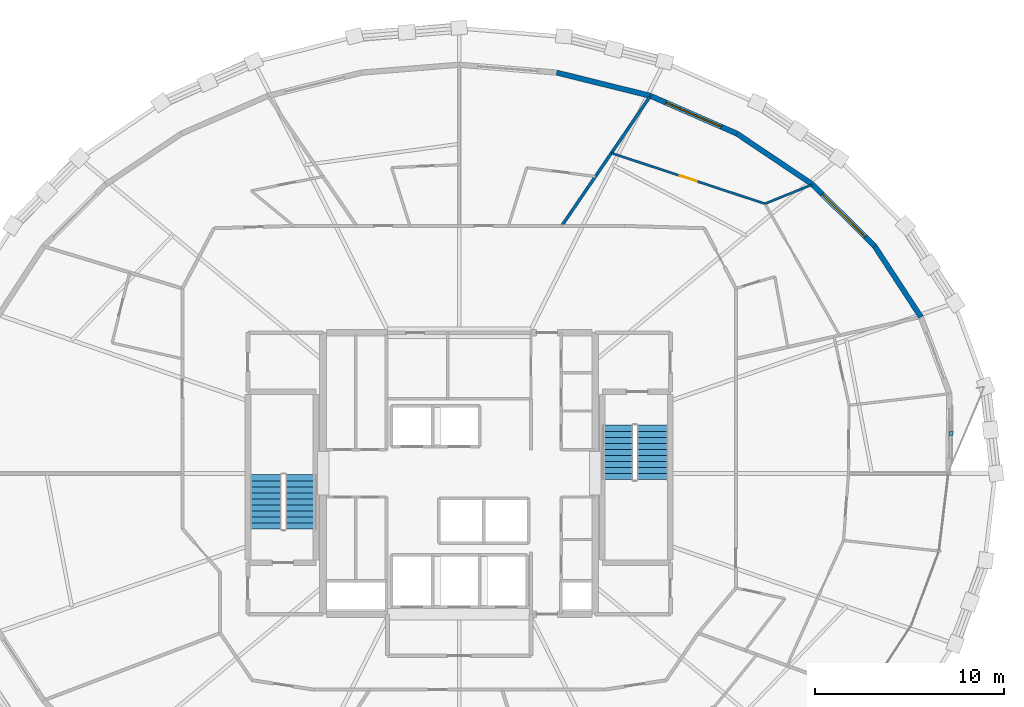
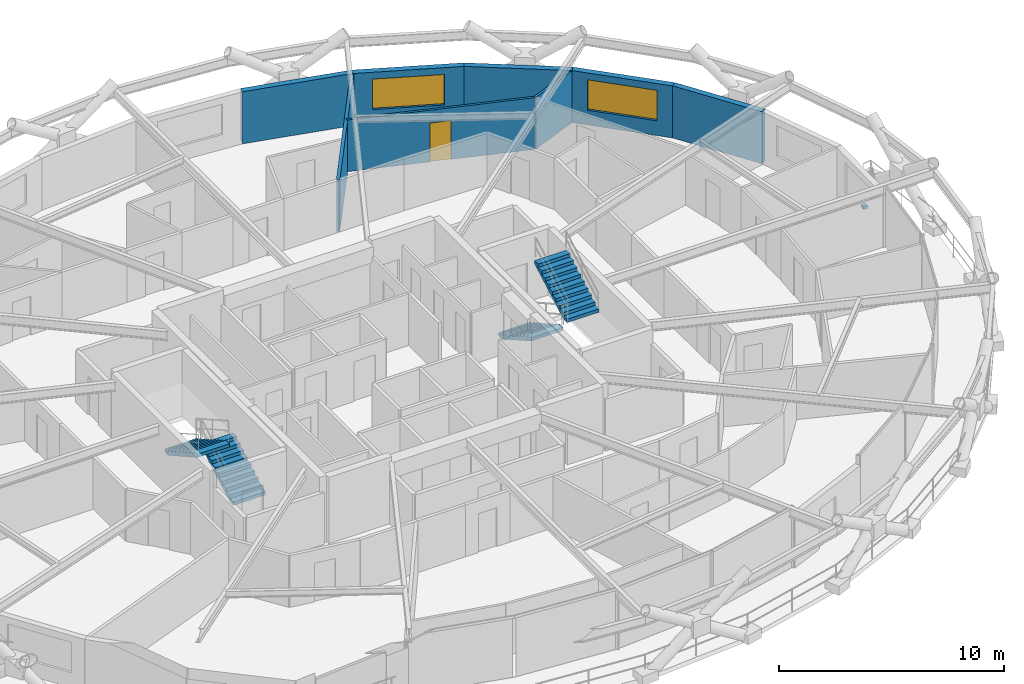
# One storey, part 18 of 21: 8 walls, 4 stair flights, 2 windows, 1 discrete accessory, 1 door, 3 openings, 2 elements without a shape of their own.
"""IFC4 building model written with IfcOpenShell, lengths in metres."""

from ifc_helpers import new_model, si_unit, direction, frame, frame_2d, origin, origin_2d, place, context, subcontext, project, spatial, polyline, rectangle, outline, extrude, material, layer, layer_set, type_object, element, fill, aggregate, save


model = new_model("IFC4")

# Units and contexts
model_context = context("Model", 3, precision=1e-05, world=origin(), true_north=direction((0.0, 1.0)))
body_context = subcontext(model_context, "Body", "Model", "MODEL_VIEW")
ifc_project = project(units=[si_unit("LENGTHUNIT", "METRE"), si_unit("AREAUNIT", "SQUARE_METRE"), si_unit("VOLUMEUNIT", "CUBIC_METRE"), si_unit("PLANEANGLEUNIT", "RADIAN"), si_unit("MASSUNIT", "GRAM", prefix="KILO")], contexts=[model_context])

# Site, building, storey
site_placement = place(None, origin())
site = spatial("IfcSite", under=ifc_project, at=site_placement, CompositionType="ELEMENT")
building_placement = place(site_placement, origin())
building = spatial("IfcBuilding", under=site, at=building_placement, Name="Veldorina Hangang Commons", CompositionType="ELEMENT")
storey_placement = place(building_placement, frame((0.0, 0.0, 142.39990234375)))
storey = spatial("IfcBuildingStorey", under=building, at=storey_placement, Name="L36", CompositionType="ELEMENT", Elevation=142.39990234375)

# Wall
ifc_material_1 = material(Name="Stone Roman Travertine", Category="masonry")
ifc_layer_1 = layer(ifc_material_1, 0.280029296875)
ifc_layer_set_1 = layer_set([ifc_layer_1], Name="Stone Roman Travertine")
wall_type_1 = type_object("IfcWallType", Name="EW-TRAV-280", PredefinedType="STANDARD", material=ifc_layer_set_1)
wall_1_placement = place(storey_placement, frame((56.44091796875, 32.277587890625, 0.0), z_axis=(0.0, 0.0, 1.0), x_axis=(-0.547212555107, 0.836993679506, 0.0)))
element("IfcWall", 1, at=wall_1_placement, inside=storey, type_object=wall_type_1, Name="L36 travertine facade wall 02", PredefinedType="STANDARD", context=body_context, shape_type="SweptSolid", body=[
    extrude(rectangle(XDim=4.4677734375, YDim=0.280029296875, at=frame_2d((2.23388671875, 0.0))), origin(), (0.0, 0.0, 1.0), 2.820068359375),
])

# Wall, opening, window
wall_2_placement = place(storey_placement, frame((53.99609375, 36.01708984375, 0.0), z_axis=(0.0, 0.0, 1.0), x_axis=(-0.708393596514, 0.705817619799, 0.0)))
wall_2 = element("IfcWall", 2, at=wall_2_placement, inside=storey, type_object=wall_type_1, Name="L36 travertine facade wall 03", PredefinedType="STANDARD", context=body_context, shape_type="SweptSolid", body=[
    extrude(rectangle(XDim=4.64404296875, YDim=0.280029296875, at=frame_2d((2.322021484375, 0.0))), origin(), (0.0, 0.0, 1.0), 2.820068359375),
])
opening_1_placement = place(wall_2_placement, frame((0.721923828125, 0.0, 0.800048828125)))
opening_1 = element("IfcOpeningElement", 3, at=opening_1_placement, cuts=wall_2, Name="Opening W-01", PredefinedType="OPENING", context=body_context, shape_type="SweptSolid", body=[
    extrude(rectangle(XDim=3.199951171875, YDim=1.64990234375, at=frame_2d((1.60009765625, 0.824951171875))), frame((0.0, 0.14990234375, 0.0), z_axis=(0.0, -1.0, 0.0), x_axis=(1.0, 0.0, 0.0)), (0.0, 0.0, 1.0), 0.300048828125),
])
ifc_material_2 = material(Name="Glass Low-E Triple IGU", Category="glass")
window_type = type_object("IfcWindowType", Name="WIN-TWR-3200", PartitioningType="SINGLE_PANEL", PredefinedType="WINDOW", material=ifc_material_2)
window_1_placement = place(opening_1_placement, origin())
window_1 = element("IfcWindow", 4, at=window_1_placement, inside=storey, type_object=window_type, Name="L36 facade window 03", OverallHeight=1.64990234375, OverallWidth=3.199951171875, PartitioningType="SINGLE_PANEL", PredefinedType="WINDOW", context=body_context, shape_type="SweptSolid", body=[
    extrude(rectangle(XDim=3.199951171875, YDim=1.64990234375, at=frame_2d((1.60009765625, 0.824951171875))), frame((0.0, 0.030029296875, 0.0), z_axis=(0.0, -1.0, 0.0), x_axis=(1.0, 0.0, 0.0)), (0.0, 0.0, 1.0), 0.06005859375),
])
fill(opening_1, window_1)

# Wall
wall_3_placement = place(storey_placement, frame((50.706298828125, 39.294921875, 0.0), z_axis=(0.0, 0.0, 1.0), x_axis=(-0.830381581739, 0.55719514419, 0.0)))
element("IfcWall", 5, at=wall_3_placement, inside=storey, type_object=wall_type_1, Name="L36 travertine facade wall 04", PredefinedType="STANDARD", context=body_context, shape_type="SweptSolid", body=[
    extrude(rectangle(XDim=4.82763671875, YDim=0.280029296875, at=frame_2d((2.413818359375, 0.0))), origin(), (0.0, 0.0, 1.0), 2.820068359375),
])

# Wall, opening, window
wall_4_placement = place(storey_placement, frame((46.697509765625, 41.98486328125, 0.0), z_axis=(0.0, 0.0, 1.0), x_axis=(-0.916303206083, 0.400485248821, 0.0)))
wall_4 = element("IfcWall", 6, at=wall_4_placement, inside=storey, type_object=wall_type_1, Name="L36 travertine facade wall 05", PredefinedType="STANDARD", context=body_context, shape_type="SweptSolid", body=[
    extrude(rectangle(XDim=4.991455078125, YDim=0.280029296875, at=frame_2d((2.49560546875, 0.0))), origin(), (0.0, 0.0, 1.0), 2.820068359375),
])
opening_2_placement = place(wall_4_placement, frame((0.895751953125, 0.0, 0.800048828125)))
opening_2 = element("IfcOpeningElement", 7, at=opening_2_placement, cuts=wall_4, Name="Opening W-01", PredefinedType="OPENING", context=body_context, shape_type="SweptSolid", body=[
    extrude(rectangle(XDim=3.199951171875, YDim=1.64990234375, at=frame_2d((1.60009765625, 0.824951171875))), frame((0.0, 0.14990234375, 0.0), z_axis=(0.0, -1.0, 0.0), x_axis=(1.0, 0.0, 0.0)), (0.0, 0.0, 1.0), 0.300048828125),
])
window_2_placement = place(opening_2_placement, origin())
window_2 = element("IfcWindow", 8, at=window_2_placement, inside=storey, type_object=window_type, Name="L36 facade window 05", OverallHeight=1.64990234375, OverallWidth=3.199951171875, PartitioningType="SINGLE_PANEL", PredefinedType="WINDOW", context=body_context, shape_type="SweptSolid", body=[
    extrude(rectangle(XDim=3.199951171875, YDim=1.64990234375, at=frame_2d((1.60009765625, 0.824951171875))), frame((0.0, 0.030029296875, 0.0), z_axis=(0.0, -1.0, 0.0), x_axis=(1.0, 0.0, 0.0)), (0.0, 0.0, 1.0), 0.06005859375),
])
fill(opening_2, window_2)

# Walls
wall_5_placement = place(storey_placement, frame((42.123779296875, 43.98388671875, 0.0), z_axis=(0.0, 0.0, 1.0), x_axis=(-0.970601368837, 0.240692714498, 0.0)))
element("IfcWall", 9, at=wall_5_placement, inside=storey, type_object=wall_type_1, Name="L36 travertine facade wall 06", PredefinedType="STANDARD", context=body_context, shape_type="SweptSolid", body=[
    extrude(rectangle(XDim=5.11328125, YDim=0.280029296875, at=frame_2d((2.556640625, 0.0))), origin(), (0.0, 0.0, 1.0), 2.820068359375),
])
ifc_material_3 = material(Name="Gypsum Fire-Rated Twin Stud Wall", Category="gypsum")
ifc_layer_2 = layer(ifc_material_3, 0.159912109375)
ifc_layer_set_2 = layer_set([ifc_layer_2], Name="Gypsum Fire-Rated Twin Stud Wall")
wall_type_2 = type_object("IfcWallType", Name="WL-FIRE-160", PredefinedType="SOLIDWALL", material=ifc_layer_set_2)
wall_6_placement = place(storey_placement, frame((37.42626953125, 37.10009765625, 0.0), z_axis=(0.0, 0.0, 1.0), x_axis=(0.563666009878, 0.82600280224, 0.0)))
element("IfcWall", 10, at=wall_6_placement, inside=storey, type_object=wall_type_2, Name="L36 Unit party wall 06 103", PredefinedType="SOLIDWALL", context=body_context, shape_type="SweptSolid", body=[
    extrude(rectangle(XDim=8.28369140625, YDim=0.159912109375, at=frame_2d((4.141845703125, 0.0))), origin(), (0.0, 0.0, 1.0), 2.800048828125),
])

# Wall, opening, door
ifc_material_4 = material(Name="Gypsum Acoustic Stud Partition", Category="gypsum")
ifc_layer_3 = layer(ifc_material_4, 0.1201171875)
ifc_layer_set_3 = layer_set([ifc_layer_3], Name="Gypsum Acoustic Stud Partition")
wall_type_3 = type_object("IfcWallType", Name="WL-PART-120", PredefinedType="PARTITIONING", material=ifc_layer_set_3)
wall_7_placement = place(storey_placement, frame((48.1845703125, 38.274169921875, 0.0), z_axis=(0.0, 0.0, 1.0), x_axis=(-0.949679826918, 0.313222327342, 0.0)))
wall_7 = element("IfcWall", 11, at=wall_7_placement, inside=storey, type_object=wall_type_3, Name="L36 Cluster 3 bed 2 front wall 101", PredefinedType="PARTITIONING", context=body_context, shape_type="SweptSolid", body=[
    extrude(rectangle(XDim=8.558349609375, YDim=0.1201171875, at=frame_2d((4.279296875, 0.0))), origin(), (0.0, 0.0, 1.0), 2.800048828125),
])
opening_3_placement = place(wall_7_placement, frame((3.80419921875, 0.0, 0.0)))
opening_3 = element("IfcOpeningElement", 12, at=opening_3_placement, cuts=wall_7, Name="Opening D-02", PredefinedType="OPENING", context=body_context, shape_type="SweptSolid", body=[
    extrude(rectangle(XDim=0.949951171875, YDim=2.10009765625, at=frame_2d((0.47509765625, 1.050048828125))), frame((0.0, 0.070068359375, 0.0), z_axis=(0.0, -1.0, 0.0), x_axis=(1.0, 0.0, 0.0)), (0.0, 0.0, 1.0), 0.14013671875),
])
ifc_material_5 = material(Name="Timber Solid Core Acoustic", Category="wood")
door_type = type_object("IfcDoorType", Name="DR-INT-950", OperationType="SINGLE_SWING_LEFT", PredefinedType="DOOR", material=ifc_material_5)
door_placement = place(opening_3_placement, origin())
door = element("IfcDoor", 13, at=door_placement, inside=storey, type_object=door_type, Name="L36 Cluster 3 bed 2 door 033", OperationType="SINGLE_SWING_LEFT", OverallHeight=2.10009765625, OverallWidth=0.949951171875, PredefinedType="DOOR", context=body_context, shape_type="SweptSolid", body=[
    extrude(rectangle(XDim=0.949951171875, YDim=2.10009765625, at=frame_2d((0.47509765625, 1.050048828125))), frame((0.0, 0.02490234375, 0.0), z_axis=(0.0, -1.0, 0.0), x_axis=(1.0, 0.0, 0.0)), (0.0, 0.0, 1.0), 0.050048828125),
])
fill(opening_3, door)

# Wall
wall_8_placement = place(storey_placement, frame((48.1845703125, 38.274169921875, 0.0), z_axis=(0.0, 0.0, 1.0), x_axis=(0.926943027984, 0.375202109365, 0.0)))
element("IfcWall", 14, at=wall_8_placement, inside=storey, type_object=wall_type_3, Name="L36 Cluster 3 bed divider 1 102", PredefinedType="PARTITIONING", context=body_context, shape_type="SweptSolid", body=[
    extrude(rectangle(XDim=2.67041015625, YDim=0.1201171875, at=frame_2d((1.335205078125, 0.0))), origin(), (0.0, 0.0, 1.0), 2.800048828125),
])

# Stair, stair flights
ifc_material_6 = material(Name="Concrete C40/50", Category="concrete")
stair_type = type_object("IfcStairType", Name="STR-DOG-1650-20R", PredefinedType="HALF_TURN_STAIR", material=ifc_material_6)
stair_1_placement = place(storey_placement, origin())
stair_1 = element("IfcStair", 15, at=stair_1_placement, inside=storey, type_object=stair_type, Name="L36 Exit stair ST-1", PredefinedType="HALF_TURN_STAIR")
stair_flight_type = type_object("IfcStairFlightType", Name="SFL-STR-1650-20R", PredefinedType="STRAIGHT", material=ifc_material_6)
stair_flight_1_placement = place(storey_placement, frame((23.625, 21.050048828125, 0.0), z_axis=(0.0, 0.0, 1.0), x_axis=(0.0, 1.0, 0.0)))
stair_flight_1 = element("IfcStairFlight", 16, at=stair_flight_1_placement, type_object=stair_flight_type, Name="ST-1 flight 1", NumberOfRisers=10, NumberOfTreads=9, PredefinedType="STRAIGHT", RiserHeight=0.18, TreadLength=0.32, context=body_context, shape_type="SweptSolid", body=[
    extrude(outline(polyline([(0.0, 0.0), (0.0, 0.179931640625), (0.320068359375, 0.179931640625), (0.320068359375, 0.360107421875), (0.639892578125, 0.360107421875), (0.639892578125, 0.5400390625), (0.9599609375, 0.5400390625), (0.9599609375, 0.719970703125), (1.280029296875, 0.719970703125), (1.280029296875, 0.89990234375), (1.60009765625, 0.89990234375), (1.60009765625, 1.080078125), (1.919921875, 1.080078125), (1.919921875, 1.260009765625), (2.239990234375, 1.260009765625), (2.239990234375, 1.43994140625), (2.56005859375, 1.43994140625), (2.56005859375, 1.6201171875), (2.8798828125, 1.6201171875), (2.8798828125, 1.800048828125), (2.8798828125, 1.447998046875), (0.3056640625, 0.0), (0.0, 0.0)])), frame((0.0, 0.824951171875, 0.0), z_axis=(0.0, -1.0, 0.0), x_axis=(1.0, 0.0, 0.0)), (0.0, 0.0, 1.0), 1.64990234375),
])
stair_flight_2_placement = place(storey_placement, frame((21.77490234375, 23.929931640625, 1.800048828125), z_axis=(0.0, 0.0, 1.0), x_axis=(0.0, -1.0, 0.0)))
stair_flight_2 = element("IfcStairFlight", 17, at=stair_flight_2_placement, type_object=stair_flight_type, Name="ST-1 flight 2", NumberOfRisers=10, NumberOfTreads=9, PredefinedType="STRAIGHT", RiserHeight=0.18, TreadLength=0.32, context=body_context, shape_type="SweptSolid", body=[
    extrude(outline(polyline([(0.0, 0.0), (0.0, 0.179931640625), (0.320068359375, 0.179931640625), (0.320068359375, 0.360107421875), (0.639892578125, 0.360107421875), (0.639892578125, 0.5400390625), (0.9599609375, 0.5400390625), (0.9599609375, 0.719970703125), (1.280029296875, 0.719970703125), (1.280029296875, 0.89990234375), (1.60009765625, 0.89990234375), (1.60009765625, 1.080078125), (1.919921875, 1.080078125), (1.919921875, 1.260009765625), (2.239990234375, 1.260009765625), (2.239990234375, 1.43994140625), (2.56005859375, 1.43994140625), (2.56005859375, 1.6201171875), (2.8798828125, 1.6201171875), (2.8798828125, 1.800048828125), (2.8798828125, 1.447998046875), (0.3056640625, 0.0), (0.0, 0.0)])), frame((0.0, 0.824951171875, 0.0), z_axis=(0.0, -1.0, 0.0), x_axis=(1.0, 0.0, 0.0)), (0.0, 0.0, 1.0), 1.64990234375),
])
aggregate(stair_1, [stair_flight_1, stair_flight_2])

stair_2_placement = place(storey_placement, origin())
stair_2 = element("IfcStair", 18, at=stair_2_placement, inside=storey, type_object=stair_type, Name="L36 Exit stair ST-2", PredefinedType="HALF_TURN_STAIR")
stair_flight_3_placement = place(storey_placement, frame((40.375, 26.550048828125, 0.0), z_axis=(0.0, 0.0, 1.0), x_axis=(0.0, -1.0, 0.0)))
stair_flight_3 = element("IfcStairFlight", 19, at=stair_flight_3_placement, type_object=stair_flight_type, Name="ST-2 flight 1", NumberOfRisers=10, NumberOfTreads=9, PredefinedType="STRAIGHT", RiserHeight=0.18, TreadLength=0.32, context=body_context, shape_type="SweptSolid", body=[
    extrude(outline(polyline([(0.0, 0.0), (0.0, 0.179931640625), (0.320068359375, 0.179931640625), (0.320068359375, 0.360107421875), (0.639892578125, 0.360107421875), (0.639892578125, 0.5400390625), (0.9599609375, 0.5400390625), (0.9599609375, 0.719970703125), (1.280029296875, 0.719970703125), (1.280029296875, 0.89990234375), (1.60009765625, 0.89990234375), (1.60009765625, 1.080078125), (1.919921875, 1.080078125), (1.919921875, 1.260009765625), (2.239990234375, 1.260009765625), (2.239990234375, 1.43994140625), (2.56005859375, 1.43994140625), (2.56005859375, 1.6201171875), (2.8798828125, 1.6201171875), (2.8798828125, 1.800048828125), (2.8798828125, 1.447998046875), (0.3056640625, 0.0), (0.0, 0.0)])), frame((0.0, 0.824951171875, 0.0), z_axis=(0.0, -1.0, 0.0), x_axis=(1.0, 0.0, 0.0)), (0.0, 0.0, 1.0), 1.64990234375),
])
stair_flight_4_placement = place(storey_placement, frame((42.22509765625, 23.669921875, 1.800048828125), z_axis=(0.0, 0.0, 1.0), x_axis=(0.0, 1.0, 0.0)))
stair_flight_4 = element("IfcStairFlight", 20, at=stair_flight_4_placement, type_object=stair_flight_type, Name="ST-2 flight 2", NumberOfRisers=10, NumberOfTreads=9, PredefinedType="STRAIGHT", RiserHeight=0.18, TreadLength=0.32, context=body_context, shape_type="SweptSolid", body=[
    extrude(outline(polyline([(0.0, 0.0), (0.0, 0.179931640625), (0.320068359375, 0.179931640625), (0.320068359375, 0.360107421875), (0.639892578125, 0.360107421875), (0.639892578125, 0.5400390625), (0.9599609375, 0.5400390625), (0.9599609375, 0.719970703125), (1.280029296875, 0.719970703125), (1.280029296875, 0.89990234375), (1.60009765625, 0.89990234375), (1.60009765625, 1.080078125), (1.919921875, 1.080078125), (1.919921875, 1.260009765625), (2.239990234375, 1.260009765625), (2.239990234375, 1.43994140625), (2.56005859375, 1.43994140625), (2.56005859375, 1.6201171875), (2.8798828125, 1.6201171875), (2.8798828125, 1.800048828125), (2.8798828125, 1.447998046875), (0.3056640625, 0.0), (0.0, 0.0)])), frame((0.0, 0.824951171875, 0.0), z_axis=(0.0, -1.0, 0.0), x_axis=(1.0, 0.0, 0.0)), (0.0, 0.0, 1.0), 1.64990234375),
])
aggregate(stair_2, [stair_flight_3, stair_flight_4])

# Discrete accessory
ifc_material_7 = material(Name="Stainless Steel Brushed 316", Category="steel")
discrete_accessory_type = type_object("IfcDiscreteAccessoryType", Name="BRK-SCR-SS", PredefinedType="BRACKET", material=ifc_material_7)
discrete_accessory_placement = place(storey_placement, frame((58.040283203125, 26.1083984375, 0.72021484375), z_axis=(0.0, 0.0, 1.0), x_axis=(0.012251904808, 0.999924942597, 0.0)))
element("IfcDiscreteAccessory", 21, at=discrete_accessory_placement, inside=storey, type_object=discrete_accessory_type, Name="L36 solar screen support bracket 00", PredefinedType="BRACKET", context=body_context, shape_type="SweptSolid", body=[
    extrude(rectangle(XDim=0.219970703125, YDim=0.219970703125, at=origin_2d()), origin(), (0.0, 0.0, 1.0), 0.159912109375),
])

save(model, "model.ifc")
